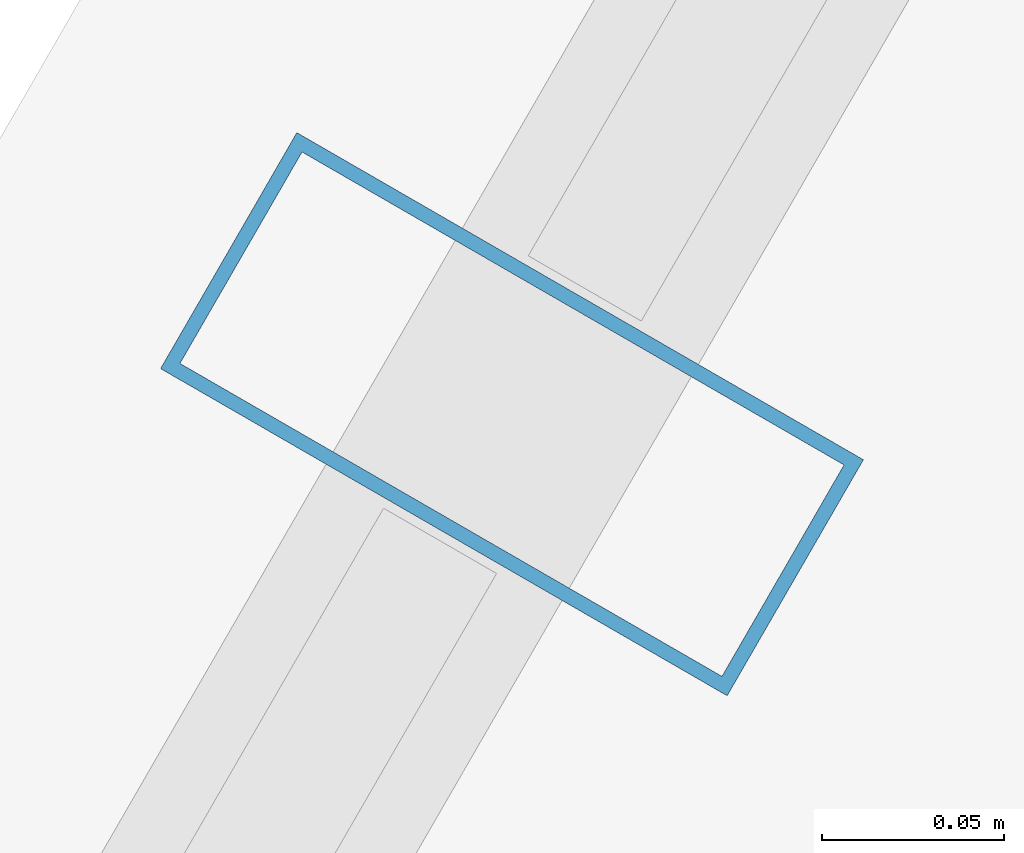
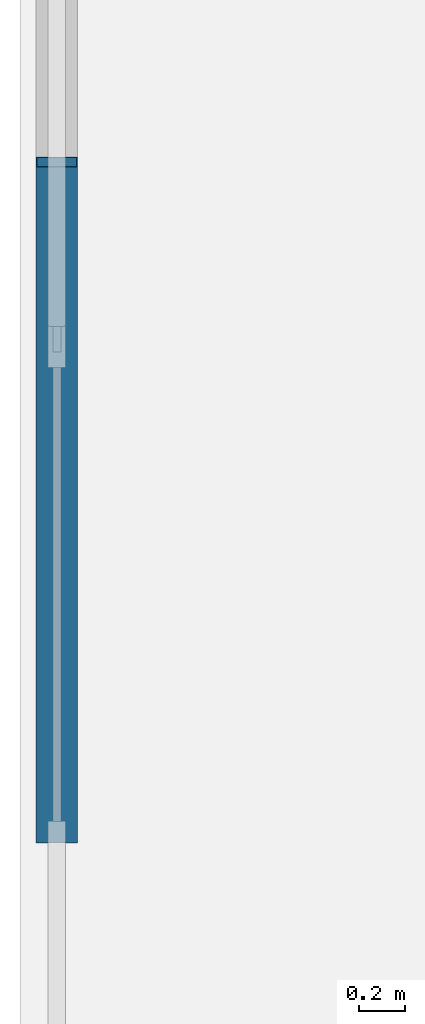
# One storey, part 13 of 32: 1 member, 1 element without a shape of its own.
"""IFC4 building model written with IfcOpenShell, lengths in metres."""

from ifc_helpers import new_model, si_unit, direction, frame, origin, origin_2d, place, context, subcontext, project, spatial, hollow_rectangle, extrude, material, layer, layer_set, material_profile, profile_set, type_object, element, aggregate, save


model = new_model("IFC4")

# Units and contexts
model_context = context("Model", 3, precision=1e-05, world=origin(), true_north=direction((0.0, 1.0)))
body_context = subcontext(model_context, "Body", "Model", "MODEL_VIEW")
ifc_project = project(units=[si_unit("LENGTHUNIT", "METRE"), si_unit("AREAUNIT", "SQUARE_METRE"), si_unit("VOLUMEUNIT", "CUBIC_METRE"), si_unit("PLANEANGLEUNIT", "RADIAN"), si_unit("MASSUNIT", "GRAM", prefix="KILO")], contexts=[model_context])

# Site, building, storey
site_placement = place(None, origin())
site = spatial("IfcSite", under=ifc_project, at=site_placement, CompositionType="ELEMENT")
building_placement = place(site_placement, origin())
building = spatial("IfcBuilding", under=site, at=building_placement, Name="Ndaravel Arena Tower", CompositionType="ELEMENT")
storey_placement = place(building_placement, frame((0.0, 0.0, 130.800048828125)))
storey = spatial("IfcBuildingStorey", under=building, at=storey_placement, Name="L30", CompositionType="ELEMENT", Elevation=130.800048828125)

# Curtain wall, member
ifc_material_1 = material(Name="Aluminium", Category="aluminium")
ifc_layer = layer(ifc_material_1, 0.179931640625)
ifc_layer_set = layer_set([ifc_layer], Name="Aluminium")
curtain_wall_type = type_object("IfcCurtainWallType", Name="CW-SYS-03", PredefinedType="NOTDEFINED", material=ifc_layer_set)
curtain_wall_placement = place(storey_placement, origin())
curtain_wall = element("IfcCurtainWall", 1, at=curtain_wall_placement, inside=storey, type_object=curtain_wall_type, Name="L30 Faceted Crystal Curtain Wall CW-L30-E05", PredefinedType="NOTDEFINED")
ifc_material_2 = material(Name="Aluminium", Category="aluminium")
ifc_material_profile = material_profile(ifc_material_2, hollow_rectangle(XDim=0.074951171875, YDim=0.179931640625, WallThickness=0.00390625, at=origin_2d()), Name="CW MULLION 75x180x4")
ifc_profile_set = profile_set([ifc_material_profile], Name="Aluminium")
member_type = type_object("IfcMemberType", Name="MEM-CW-MUL180", PredefinedType="MULLION", material=ifc_profile_set)
member_placement = place(storey_placement, frame((29.29150390625, 34.7255859375, 0.0), z_axis=(0.0, 0.0, 1.0), x_axis=(-0.5, -0.866025403784, 0.0)))
member = element("IfcMember", 2, at=member_placement, type_object=member_type, Name="CW-L30-E05 Mullion 03", PredefinedType="MULLION", context=body_context, shape_type="SweptSolid", body=[
    extrude(hollow_rectangle(XDim=0.074951171875, YDim=0.179931640625, WallThickness=0.00390625, at=origin_2d()), origin(), (0.0, 0.0, 1.0), 3.579833984375),
])
aggregate(curtain_wall, [member])

save(model, "model.ifc")
